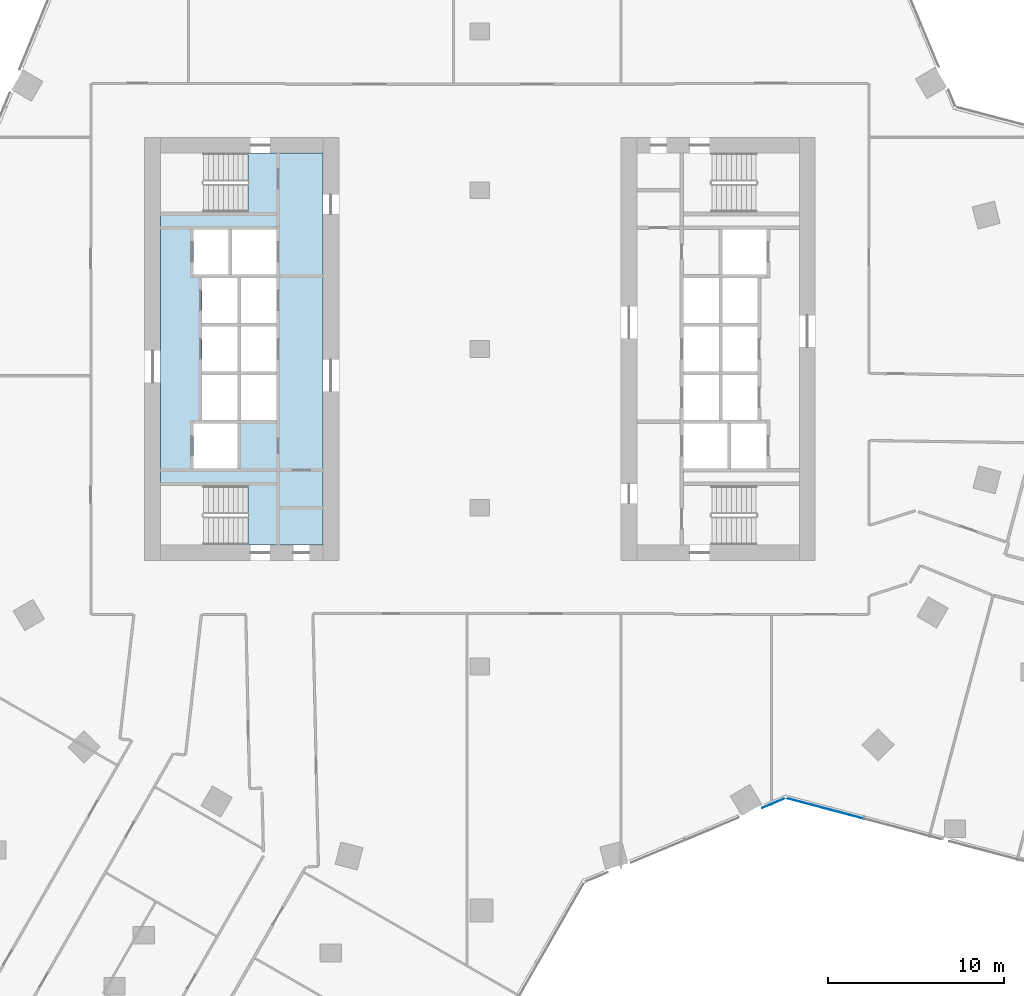
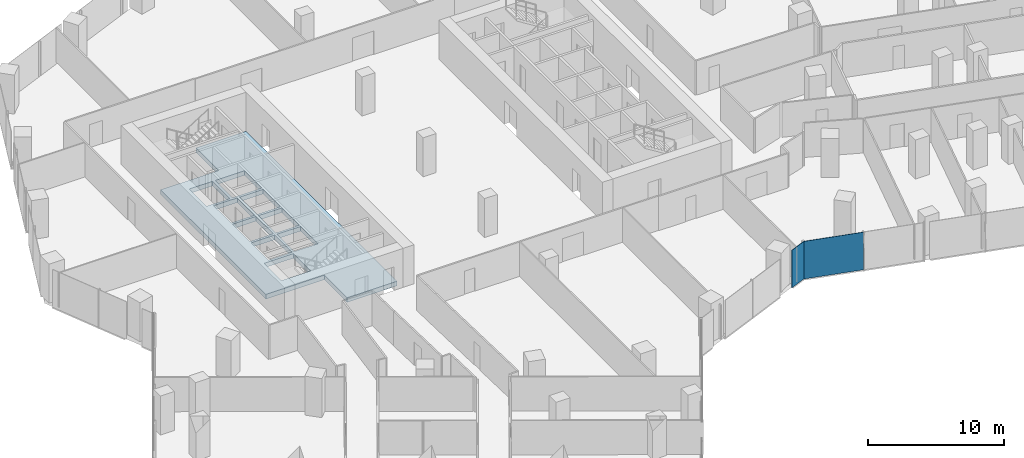
# One storey, part 21 of 34: 2 plates, 1 slab, 2 elements without a shape of their own.
"""IFC4 building model written with IfcOpenShell, lengths in metres."""

from ifc_helpers import new_model, si_unit, direction, frame, origin, origin_2d, place, context, subcontext, project, spatial, polyline, rectangle, outline, extrude, material, layer, layer_set, type_object, element, aggregate, save


model = new_model("IFC4")

# Units and contexts
model_context = context("Model", 3, precision=1e-05, world=origin(), true_north=direction((0.0, 1.0)))
body_context = subcontext(model_context, "Body", "Model", "MODEL_VIEW")
ifc_project = project(units=[si_unit("LENGTHUNIT", "METRE"), si_unit("AREAUNIT", "SQUARE_METRE"), si_unit("VOLUMEUNIT", "CUBIC_METRE"), si_unit("PLANEANGLEUNIT", "RADIAN"), si_unit("MASSUNIT", "GRAM", prefix="KILO")], contexts=[model_context])

# Site, building, storey
site_placement = place(None, origin())
site = spatial("IfcSite", under=ifc_project, at=site_placement, CompositionType="ELEMENT")
building_placement = place(site_placement, origin())
building = spatial("IfcBuilding", under=site, at=building_placement, Name="Orlundy Tower", CompositionType="ELEMENT")
storey_placement = place(building_placement, frame((0.0, 0.0, 112.699951171875)))
storey = spatial("IfcBuildingStorey", under=building, at=storey_placement, Name="L28", CompositionType="ELEMENT", Elevation=112.699951171875)

# Curtain wall, plate
ifc_material_1 = material(Name="Aluminium bronze anodised", Category="aluminium")
curtain_wall_type = type_object("IfcCurtainWallType", Name="CW1 wall", PredefinedType="NOTDEFINED", material=ifc_material_1)
curtain_wall_1_placement = place(storey_placement, origin())
curtain_wall_1 = element("IfcCurtainWall", 1, at=curtain_wall_1_placement, inside=storey, type_object=curtain_wall_type, Name="CW1 run 00", PredefinedType="NOTDEFINED")
ifc_material_2 = material(Name="Tinted glass", Category="glass")
ifc_layer_1 = layer(ifc_material_2, 0.031982421875)
ifc_layer_set_1 = layer_set([ifc_layer_1], Name="CW1 glass panel 32")
plate_type = type_object("IfcPlateType", Name="CW1 glass panel 32", PredefinedType="CURTAIN_PANEL", material=ifc_layer_set_1)
plate_1_placement = place(storey_placement, frame((19.532958984375, -26.0322265625, -0.27978515625), z_axis=(0.0, 0.0, 1.0), x_axis=(-0.966673796654, 0.256011270968, 0.0)))
plate_1 = element("IfcPlate", 2, at=plate_1_placement, type_object=plate_type, Name="CW1 panel", PredefinedType="CURTAIN_PANEL", context=body_context, shape_type="SweptSolid", body=[
    extrude(rectangle(XDim=4.550048828125, YDim=0.031982421875, at=origin_2d()), origin(), (0.0, 0.0, 1.0), 3.3798828125),
])
aggregate(curtain_wall_1, [plate_1])

curtain_wall_2_placement = place(storey_placement, origin())
curtain_wall_2 = element("IfcCurtainWall", 3, at=curtain_wall_2_placement, inside=storey, type_object=curtain_wall_type, Name="CW1 run 01", PredefinedType="NOTDEFINED")
plate_2_placement = place(storey_placement, frame((16.6669921875, -25.728271484375, -0.27978515625), z_axis=(0.0, 0.0, 1.0), x_axis=(-0.922759105019, -0.385377262048, 0.0)))
plate_2 = element("IfcPlate", 4, at=plate_2_placement, type_object=plate_type, Name="CW1 panel", PredefinedType="CURTAIN_PANEL", context=body_context, shape_type="SweptSolid", body=[
    extrude(rectangle(XDim=1.445068359375, YDim=0.031982421875, at=origin_2d()), origin(), (0.0, 0.0, 1.0), 3.3798828125),
])
aggregate(curtain_wall_2, [plate_2])

# Slab
ifc_material_3 = material(Name="Concrete C50/60", Category="concrete")
ifc_layer_2 = layer(ifc_material_3, 0.409912109375)
ifc_layer_set_2 = layer_set([ifc_layer_2], Name="Core Floor Slab 410")
slab_type = type_object("IfcSlabType", Name="Core Floor Slab 410", PredefinedType="FLOOR", material=ifc_layer_set_2)
slab_placement = place(storey_placement, frame((0.0, 0.0, -0.409912109375)))
element("IfcSlab", 5, at=slab_placement, inside=storey, type_object=slab_type, Name="Core floor W21", PredefinedType="FLOOR", context=body_context, shape_type="SweptSolid", body=[
    extrude(outline(polyline([(-13.14501953125, 7.75), (-13.14501953125, 11.10009765625), (-8.89990234375, 11.10009765625), (-8.89990234375, -11.10009765625), (-13.14501953125, -11.10009765625), (-13.14501953125, -7.75), (-18.10009765625, -7.75), (-18.10009765625, 7.75), (-13.14501953125, 7.75)]), holes=[polyline([(-16.239990234375, -6.77490234375), (-13.739990234375, -6.77490234375), (-13.739990234375, -4.22509765625), (-16.239990234375, -4.22509765625), (-16.239990234375, -6.77490234375)]), polyline([(-13.5400390625, -1.47509765625), (-13.5400390625, -4.02490234375), (-11.5400390625, -4.02490234375), (-11.5400390625, -1.47509765625), (-13.5400390625, -1.47509765625)]), polyline([(-13.739990234375, -1.47509765625), (-15.739990234375, -1.47509765625), (-15.739990234375, -4.02490234375), (-13.739990234375, -4.02490234375), (-13.739990234375, -1.47509765625)]), polyline([(-11.5400390625, -1.27490234375), (-11.5400390625, 1.27490234375), (-13.5400390625, 1.27490234375), (-13.5400390625, -1.27490234375), (-11.5400390625, -1.27490234375)]), polyline([(-15.739990234375, -1.27490234375), (-13.739990234375, -1.27490234375), (-13.739990234375, 1.27490234375), (-15.739990234375, 1.27490234375), (-15.739990234375, -1.27490234375)]), polyline([(-13.5400390625, 4.02490234375), (-13.5400390625, 1.47509765625), (-11.5400390625, 1.47509765625), (-11.5400390625, 4.02490234375), (-13.5400390625, 4.02490234375)]), polyline([(-13.739990234375, 4.02490234375), (-15.739990234375, 4.02490234375), (-15.739990234375, 1.47509765625), (-13.739990234375, 1.47509765625), (-13.739990234375, 4.02490234375)]), polyline([(-11.5400390625, 4.22509765625), (-11.5400390625, 6.77490234375), (-14.0400390625, 6.77490234375), (-14.0400390625, 4.22509765625), (-11.5400390625, 4.22509765625)]), polyline([(-16.239990234375, 4.22509765625), (-14.239990234375, 4.22509765625), (-14.239990234375, 6.77490234375), (-16.239990234375, 6.77490234375), (-16.239990234375, 4.22509765625)])]), origin(), (0.0, 0.0, 1.0), 0.409912109375),
])

save(model, "model.ifc")
